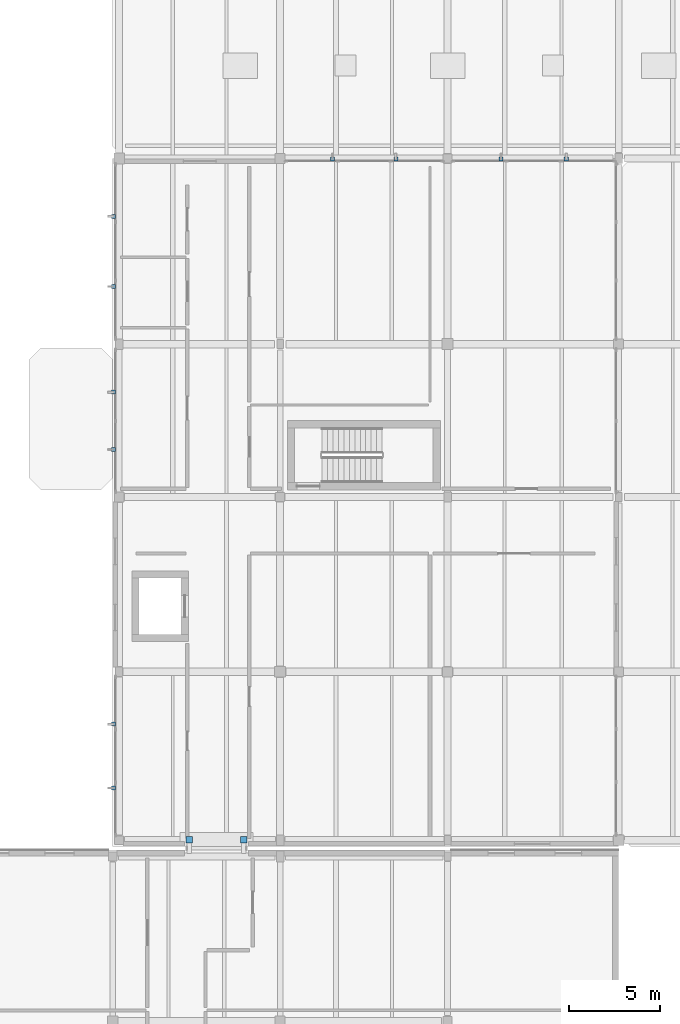
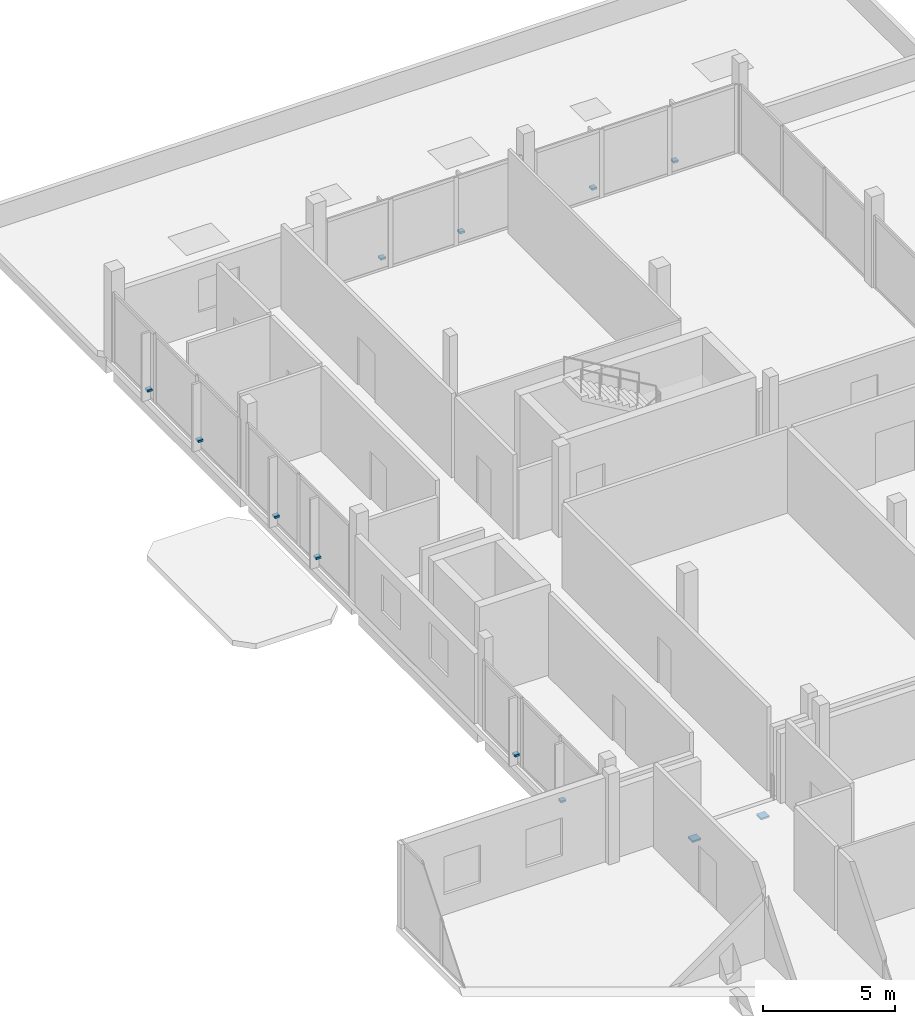
# One storey, part 52 of 66: 12 discrete accessories.
"""IFC4 building model written with IfcOpenShell, lengths in metres."""

from ifc_helpers import new_model, si_unit, direction, frame, origin, origin_2d, place, context, subcontext, project, spatial, rectangle, extrude, material, layer, layer_set, type_object, element, save


model = new_model("IFC4")

# Units and contexts
model_context = context("Model", 3, precision=1e-05, world=origin(), true_north=direction((0.0, 1.0)))
body_context = subcontext(model_context, "Body", "Model", "MODEL_VIEW")
ifc_project = project(units=[si_unit("LENGTHUNIT", "METRE"), si_unit("AREAUNIT", "SQUARE_METRE"), si_unit("VOLUMEUNIT", "CUBIC_METRE"), si_unit("PLANEANGLEUNIT", "RADIAN"), si_unit("MASSUNIT", "GRAM", prefix="KILO")], contexts=[model_context])

# Site, building, storey
site_placement = place(None, origin())
site = spatial("IfcSite", under=ifc_project, at=site_placement, CompositionType="ELEMENT")
building_placement = place(site_placement, origin())
building = spatial("IfcBuilding", under=site, at=building_placement, Name="Birchvale Park Specialist Clinic", CompositionType="ELEMENT")
storey_placement = place(building_placement, frame((0.0, 0.0, 5.39990234375)))
storey = spatial("IfcBuildingStorey", under=building, at=storey_placement, Name="L01", CompositionType="ELEMENT", Elevation=5.39990234375)

# Discrete accessories
ifc_material_1 = material(Name="Anodised aluminium facade bracket", Category="aluminium")
ifc_layer_1 = layer(ifc_material_1, 0.080078125)
ifc_layer_set_1 = layer_set([ifc_layer_1], Name="Anodised aluminium facade bracket")
discrete_accessory_type_1 = type_object("IfcDiscreteAccessoryType", Name="ACC-BRK-1", PredefinedType="BRACKET", material=ifc_layer_set_1)
for number, where, z_axis, x_axis, name in (
    (1, (152.9169921875, 101.364990234375, 0.455078125), (0.0, 0.0, 1.0), (0.0, 1.0, 0.0), "V6 L01 solar fin bracket 24"),
    (2, (149.3330078125, 101.364990234375, 0.455078125), (0.0, 0.0, 1.0), (0.0, 1.0, 0.0), "V6 L01 solar fin bracket 25"),
    (3, (143.549560546875, 101.364990234375, 0.455078125), (0.0, 0.0, 1.0), (0.0, 1.0, 0.0), "V6 L01 solar fin bracket 26"),
    (4, (140.075439453125, 101.364990234375, 0.455078125), (0.0, 0.0, 1.0), (0.0, 1.0, 0.0), "V6 L01 solar fin bracket 27"),
    (5, (128.034912109375, 98.22607421875, 0.455078125), (0.0, 0.0, 1.0), (1.0, 0.0, 0.0), "V6 L01 solar fin bracket 28"),
    (6, (128.034912109375, 94.3740234375, 0.455078125), (0.0, 0.0, 1.0), (1.0, 0.0, 0.0), "V6 L01 solar fin bracket 29"),
    (7, (128.034912109375, 88.55859375, 0.455078125), (0.0, 0.0, 1.0), (1.0, 0.0, 0.0), "V6 L01 solar fin bracket 30"),
    (8, (128.034912109375, 85.41650390625, 0.455078125), (0.0, 0.0, 1.0), (1.0, 0.0, 0.0), "V6 L01 solar fin bracket 31"),
    (9, (128.034912109375, 70.31689453125, 0.455078125), (0.0, 0.0, 1.0), (1.0, 0.0, 0.0), "V6 L01 solar fin bracket 32"),
    (10, (128.034912109375, 66.81298828125, 0.455078125), (0.0, 0.0, 1.0), (1.0, 0.0, 0.0), "V6 L01 solar fin bracket 33"),
):
    element("IfcDiscreteAccessory", number, at=place(storey_placement, frame(where, z_axis=z_axis, x_axis=x_axis)), inside=storey, type_object=discrete_accessory_type_1, Name=name, PredefinedType="BRACKET", context=body_context, shape_type="SweptSolid", body=[
        extrude(rectangle(XDim=0.219970703125, YDim=0.219970703125, at=origin_2d()), origin(), (0.0, 0.0, 1.0), 0.090087890625),
    ])
ifc_material_2 = material(Name="PTFE-elastomeric bearing assembly")
ifc_layer_2 = layer(ifc_material_2, 0.080078125)
ifc_layer_set_2 = layer_set([ifc_layer_2], Name="PTFE-elastomeric bearing assembly")
discrete_accessory_type_2 = type_object("IfcDiscreteAccessoryType", Name="ACC-SB-1", PredefinedType="SHOE", material=ifc_layer_set_2)
for number, where, z_axis, x_axis, name in (
    (11, (132.199951171875, 63.97998046875, -1.056884765625), (0.0, 0.0, 1.0), (1.0, 0.0, 0.0), "PTFE-elastomeric sliding bearing SB-1 (BRG-4 L01 #1)"),
    (12, (135.199951171875, 63.97998046875, -1.056884765625), (0.0, 0.0, 1.0), (1.0, 0.0, 0.0), "PTFE-elastomeric sliding bearing SB-1 (BRG-4 L01 #2)"),
):
    element("IfcDiscreteAccessory", number, at=place(storey_placement, frame(where, z_axis=z_axis, x_axis=x_axis)), inside=storey, type_object=discrete_accessory_type_2, Name=name, PredefinedType="SHOE", context=body_context, shape_type="SweptSolid", body=[
        extrude(rectangle(XDim=0.360107421875, YDim=0.360107421875, at=origin_2d()), origin(), (0.0, 0.0, 1.0), 0.080078125),
    ])

save(model, "model.ifc")
